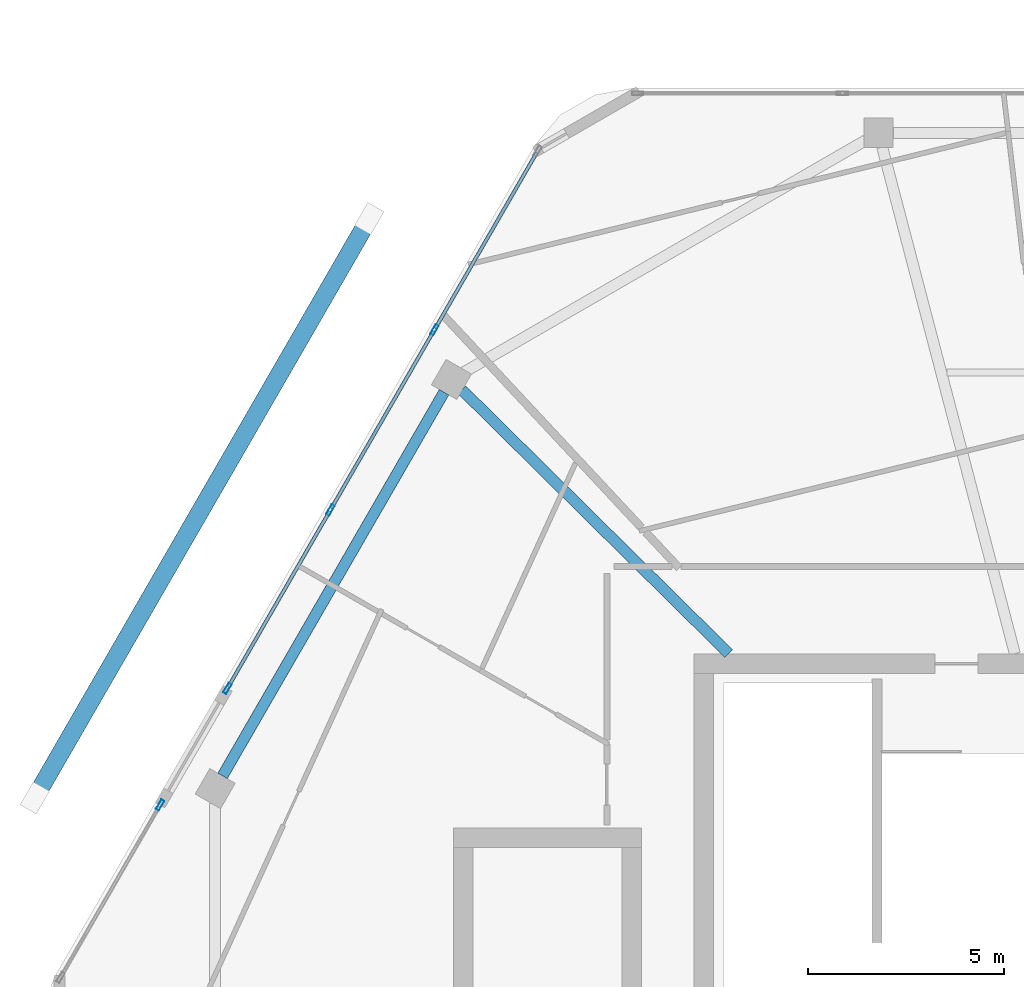
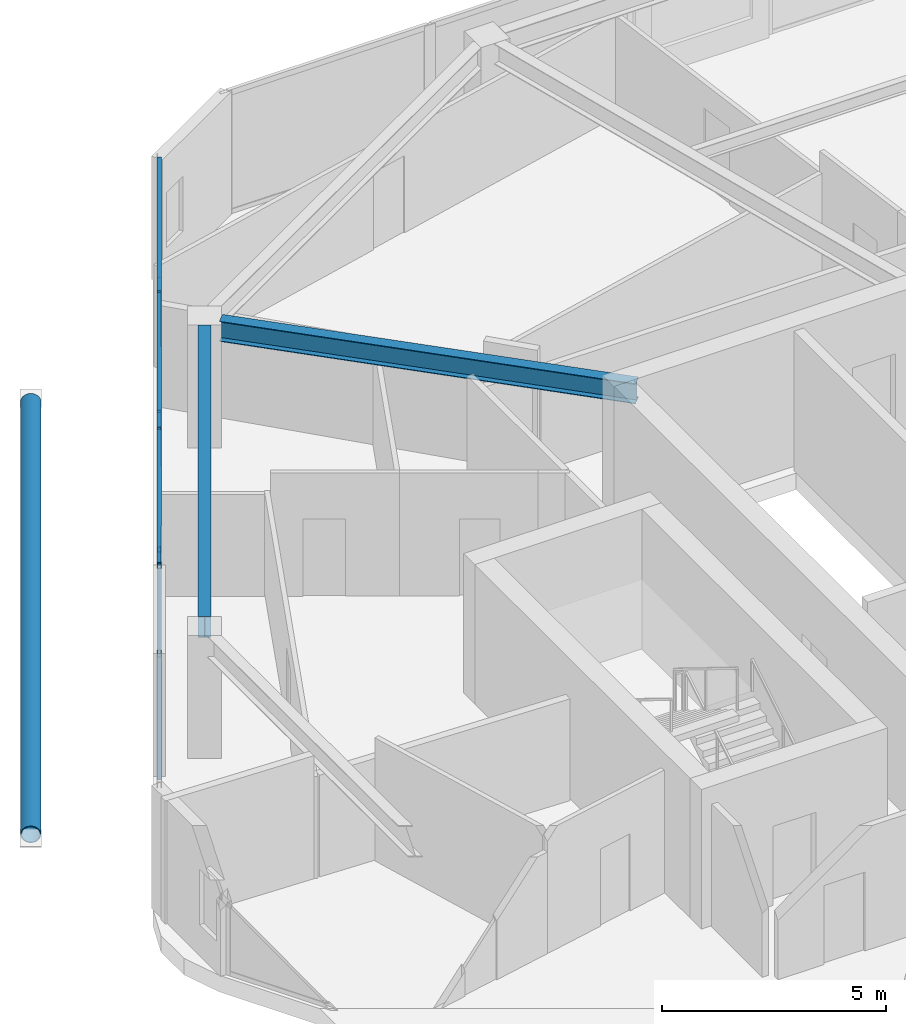
# One storey, part 9 of 22: 11 members, 2 beams, 2 elements without a shape of their own.
"""IFC4 building model written with IfcOpenShell, lengths in metres."""

from ifc_helpers import new_model, si_unit, direction, frame, origin, origin_2d, place, context, subcontext, project, spatial, hollow_rectangle, hollow_circle, i_section, extrude, material, material_profile, profile_set, type_object, element, aggregate, save


model = new_model("IFC4")

# Units and contexts
model_context = context("Model", 3, precision=1e-05, world=origin(), true_north=direction((0.0, 1.0)))
body_context = subcontext(model_context, "Body", "Model", "MODEL_VIEW")
ifc_project = project(units=[si_unit("LENGTHUNIT", "METRE"), si_unit("AREAUNIT", "SQUARE_METRE"), si_unit("VOLUMEUNIT", "CUBIC_METRE"), si_unit("PLANEANGLEUNIT", "RADIAN"), si_unit("MASSUNIT", "GRAM", prefix="KILO")], contexts=[model_context])

# Site, building, storey
site_placement = place(None, origin())
site = spatial("IfcSite", under=ifc_project, at=site_placement, CompositionType="ELEMENT")
building_placement = place(site_placement, origin())
building = spatial("IfcBuilding", under=site, at=building_placement, Name="Zuhravey Tower", CompositionType="ELEMENT")
storey_placement = place(building_placement, frame((0.0, 0.0, 357.60009765625)))
storey = spatial("IfcBuildingStorey", under=building, at=storey_placement, Name="L91", CompositionType="ELEMENT", Elevation=357.60009765625)

# Curtain wall, member
ifc_material_1 = material(Name="Thermally broken anodised aluminium", Category="aluminium")
curtain_wall_type = type_object("IfcCurtainWallType", Name="Zone 3-4 High-Rise Curtain Wall CW4", PredefinedType="NOTDEFINED", material=ifc_material_1)
curtain_wall_1_placement = place(storey_placement, origin())
curtain_wall_1 = element("IfcCurtainWall", 1, at=curtain_wall_1_placement, inside=storey, type_object=curtain_wall_type, Name="L91 CW4 CW-L91-F3-1", PredefinedType="NOTDEFINED")
ifc_material_2 = material(Name="Anodised aluminium", Category="aluminium")
ifc_material_profile_1 = material_profile(ifc_material_2, hollow_rectangle(XDim=0.090087890625, YDim=0.284912109375, WallThickness=0.0048828125, at=origin_2d()), Name="ALU-RHS-90x285x5")
ifc_profile_set_1 = profile_set([ifc_material_profile_1], Name="Anodised aluminium")
member_type_1 = type_object("IfcMemberType", Name="Curtain-Wall Mullion 90x180", PredefinedType="MULLION", material=ifc_profile_set_1)
member_1_placement = place(storey_placement, frame((11.5986328125, 37.883544921875, 0.0), z_axis=(0.0, 0.0, 1.0), x_axis=(-0.86602320419, 0.50000380979, 0.0)))
member_1 = element("IfcMember", 2, at=member_1_placement, type_object=member_type_1, Name="CW4 mullion 2", PredefinedType="MULLION", context=body_context, shape_type="SweptSolid", body=[
    extrude(hollow_rectangle(XDim=0.090087890625, YDim=0.284912109375, WallThickness=0.0048828125, at=origin_2d()), origin(), (0.0, 0.0, 1.0), 3.349853515625),
])
aggregate(curtain_wall_1, [member_1])

# Curtain wall, members
curtain_wall_2_placement = place(storey_placement, origin())
curtain_wall_2 = element("IfcCurtainWall", 3, at=curtain_wall_2_placement, inside=storey, type_object=curtain_wall_type, Name="L91 CW4 CW-L91-F3-2", PredefinedType="NOTDEFINED")
member_2_placement = place(storey_placement, frame((13.318603515625, 40.86279296875, 0.0), z_axis=(0.0, 0.0, 1.0), x_axis=(-0.866026049878, 0.499998880931, 0.0)))
member_2 = element("IfcMember", 4, at=member_2_placement, type_object=member_type_1, Name="CW4 mullion 1", PredefinedType="MULLION", context=body_context, shape_type="SweptSolid", body=[
    extrude(hollow_rectangle(XDim=0.090087890625, YDim=0.284912109375, WallThickness=0.0048828125, at=origin_2d()), origin(), (0.0, 0.0, 1.0), 3.349853515625),
])
member_3_placement = place(storey_placement, frame((15.954345703125, 45.427978515625, 0.0), z_axis=(0.0, 0.0, 1.0), x_axis=(-0.866026049878, 0.499998880931, 0.0)))
member_3 = element("IfcMember", 5, at=member_3_placement, type_object=member_type_1, Name="CW4 mullion 2", PredefinedType="MULLION", context=body_context, shape_type="SweptSolid", body=[
    extrude(hollow_rectangle(XDim=0.090087890625, YDim=0.284912109375, WallThickness=0.0048828125, at=origin_2d()), origin(), (0.0, 0.0, 1.0), 3.349853515625),
])
member_4_placement = place(storey_placement, frame((18.612548828125, 50.0322265625, 0.0), z_axis=(0.0, 0.0, 1.0), x_axis=(-0.866026049878, 0.499998880931, 0.0)))
member_4 = element("IfcMember", 6, at=member_4_placement, type_object=member_type_1, Name="CW4 mullion 3", PredefinedType="MULLION", context=body_context, shape_type="SweptSolid", body=[
    extrude(hollow_rectangle(XDim=0.090087890625, YDim=0.284912109375, WallThickness=0.0048828125, at=origin_2d()), origin(), (0.0, 0.0, 1.0), 3.349853515625),
])
ifc_material_profile_2 = material_profile(ifc_material_2, hollow_rectangle(XDim=0.090087890625, YDim=0.14990234375, WallThickness=0.0048828125, at=origin_2d()), Name="ALU-RHS-90x150x5")
ifc_profile_set_2 = profile_set([ifc_material_profile_2], Name="Anodised aluminium")
member_type_2 = type_object("IfcMemberType", Name="Curtain-Wall Transom 90x150", PredefinedType="USERDEFINED", material=ifc_profile_set_2)
member_5_placement = place(storey_placement, frame((13.341064453125, 40.90185546875, 0.044921875), z_axis=(0.500010673919, 0.866019241107, 0.0), x_axis=(-0.866019241107, 0.500010673919, 0.0)))
member_5 = element("IfcMember", 7, at=member_5_placement, type_object=member_type_2, Name="CW4 transom 1.1", ObjectType="TRANSOM", PredefinedType="USERDEFINED", context=body_context, shape_type="SweptSolid", body=[
    extrude(hollow_rectangle(XDim=0.090087890625, YDim=0.14990234375, WallThickness=0.0048828125, at=origin_2d()), origin(), (0.0, 0.0, 1.0), 5.181640625),
])
member_6_placement = place(storey_placement, frame((13.341064453125, 40.90185546875, 3.304931640625), z_axis=(0.500010673919, 0.866019241107, 0.0), x_axis=(-0.866019241107, 0.500010673919, 0.0)))
member_6 = element("IfcMember", 8, at=member_6_placement, type_object=member_type_2, Name="CW4 transom 1.2", ObjectType="TRANSOM", PredefinedType="USERDEFINED", context=body_context, shape_type="SweptSolid", body=[
    extrude(hollow_rectangle(XDim=0.090087890625, YDim=0.14990234375, WallThickness=0.0048828125, at=origin_2d()), origin(), (0.0, 0.0, 1.0), 5.181640625),
])
member_7_placement = place(storey_placement, frame((15.976806640625, 45.467041015625, 0.044921875), z_axis=(0.499997407846, 0.86602690036, 0.0), x_axis=(-0.86602690036, 0.499997407846, 0.0)))
member_7 = element("IfcMember", 9, at=member_7_placement, type_object=member_type_2, Name="CW4 transom 2.1", ObjectType="TRANSOM", PredefinedType="USERDEFINED", context=body_context, shape_type="SweptSolid", body=[
    extrude(hollow_rectangle(XDim=0.090087890625, YDim=0.14990234375, WallThickness=0.0048828125, at=origin_2d()), origin(), (0.0, 0.0, 1.0), 5.2265625),
])
member_8_placement = place(storey_placement, frame((15.976806640625, 45.467041015625, 3.304931640625), z_axis=(0.499997407846, 0.86602690036, 0.0), x_axis=(-0.86602690036, 0.499997407846, 0.0)))
member_8 = element("IfcMember", 10, at=member_8_placement, type_object=member_type_2, Name="CW4 transom 2.2", ObjectType="TRANSOM", PredefinedType="USERDEFINED", context=body_context, shape_type="SweptSolid", body=[
    extrude(hollow_rectangle(XDim=0.090087890625, YDim=0.14990234375, WallThickness=0.0048828125, at=origin_2d()), origin(), (0.0, 0.0, 1.0), 5.2265625),
])
member_9_placement = place(storey_placement, frame((18.63525390625, 50.0712890625, 0.044921875), z_axis=(0.499975335065, 0.866039643623, 0.0), x_axis=(-0.866039643623, 0.499975335065, 0.0)))
member_9 = element("IfcMember", 11, at=member_9_placement, type_object=member_type_2, Name="CW4 transom 3.1", ObjectType="TRANSOM", PredefinedType="USERDEFINED", context=body_context, shape_type="SweptSolid", body=[
    extrude(hollow_rectangle(XDim=0.090087890625, YDim=0.14990234375, WallThickness=0.0048828125, at=origin_2d()), origin(), (0.0, 0.0, 1.0), 5.181396484375),
])
member_10_placement = place(storey_placement, frame((18.63525390625, 50.0712890625, 3.304931640625), z_axis=(0.499975335065, 0.866039643623, 0.0), x_axis=(-0.866039643623, 0.499975335065, 0.0)))
member_10 = element("IfcMember", 12, at=member_10_placement, type_object=member_type_2, Name="CW4 transom 3.2", ObjectType="TRANSOM", PredefinedType="USERDEFINED", context=body_context, shape_type="SweptSolid", body=[
    extrude(hollow_rectangle(XDim=0.090087890625, YDim=0.14990234375, WallThickness=0.0048828125, at=origin_2d()), origin(), (0.0, 0.0, 1.0), 5.181396484375),
])
aggregate(curtain_wall_2, [member_2, member_3, member_4, member_5, member_6, member_7, member_8, member_9, member_10])

# Member
ifc_material_3 = material(Name="Steel SM355", Category="steel")
ifc_material_profile_3 = material_profile(ifc_material_3, hollow_circle(Radius=0.228515625, WallThickness=0.02197265625, at=origin_2d()), Name="CHS-457.2x22")
ifc_profile_set_3 = profile_set([ifc_material_profile_3], Name="Steel SM355")
member_type_3 = type_object("IfcMemberType", Name="Exoskeleton Ring Tie CHS457x22", PredefinedType="CHORD", material=ifc_profile_set_3)
member_11_placement = place(storey_placement, frame((16.875, 52.75244140625, -0.6640625), z_axis=(-0.500007681577, -0.866020968779, 0.0), x_axis=(0.866020968779, -0.500007681577, 0.0)))
element("IfcMember", 13, at=member_11_placement, inside=storey, type_object=member_type_3, Name="L91 Exoskeleton Face 3 Tie EXR1", PredefinedType="CHORD", context=body_context, shape_type="SweptSolid", body=[
    extrude(hollow_circle(Radius=0.228515625, WallThickness=0.02197265625, at=origin_2d()), origin(), (0.0, 0.0, 1.0), 16.819091796875),
])

# Beams
ifc_material_profile_4 = material_profile(ifc_material_3, i_section(OverallWidth=0.280029296875, OverallDepth=0.580078125, WebThickness=0.011962890625, FlangeThickness=0.01904296875, at=origin_2d()), Name="H-580x280x12x19")
ifc_profile_set_4 = profile_set([ifc_material_profile_4], Name="Steel SM355")
beam_type_1 = type_object("IfcBeamType", Name="Perimeter Ring Beam H580x280", PredefinedType="BEAM", material=ifc_profile_set_4)
beam_1_placement = place(storey_placement, frame((18.856201171875, 48.434326171875, 3.059814453125), z_axis=(-0.499993743963, -0.866029015679, 0.0), x_axis=(0.866029015679, -0.499993743963, 0.0)))
element("IfcBeam", 14, at=beam_1_placement, inside=storey, type_object=beam_type_1, Name="L91 PB4 BM-L91-PB-05", PredefinedType="BEAM", context=body_context, shape_type="SweptSolid", body=[
    extrude(i_section(OverallWidth=0.280029296875, OverallDepth=0.580078125, WebThickness=0.011962890625, FlangeThickness=0.01904296875, at=origin_2d()), origin(), (0.0, 0.0, 1.0), 11.321533203125),
])
ifc_material_profile_5 = material_profile(ifc_material_3, i_section(OverallWidth=0.280029296875, OverallDepth=0.550048828125, WebThickness=0.010986328125, FlangeThickness=0.01806640625, at=origin_2d()), Name="H-550x280x11x18")
ifc_profile_set_5 = profile_set([ifc_material_profile_5], Name="Steel SM355")
beam_type_2 = type_object("IfcBeamType", Name="Radial Primary Girder H550x280", PredefinedType="BEAM", material=ifc_profile_set_5)
beam_2_placement = place(storey_placement, frame((26.134765625, 41.7529296875, 3.074951171875), z_axis=(-0.711142578304, 0.703047817238, 0.0), x_axis=(-0.703047817238, -0.711142578304, 0.0)))
element("IfcBeam", 15, at=beam_2_placement, inside=storey, type_object=beam_type_2, Name="L91 RG4 BM-L91-RAD-05", PredefinedType="BEAM", context=body_context, shape_type="SweptSolid", body=[
    extrude(i_section(OverallWidth=0.280029296875, OverallDepth=0.550048828125, WebThickness=0.010986328125, FlangeThickness=0.01806640625, at=origin_2d()), origin(), (0.0, 0.0, 1.0), 9.591064453125),
])

save(model, "model.ifc")
